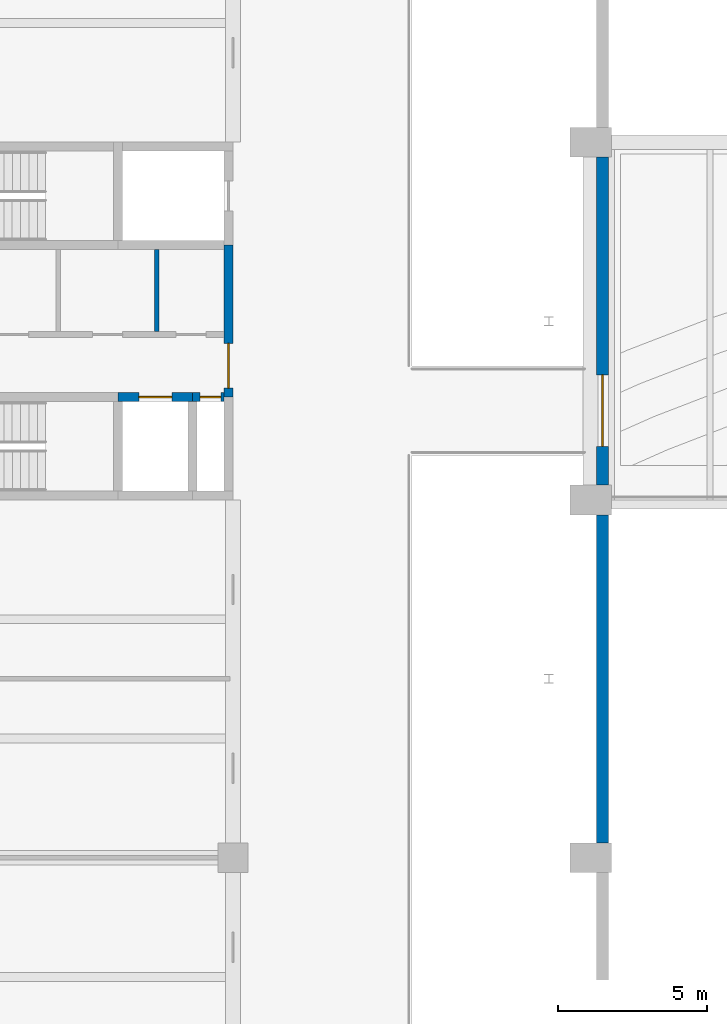
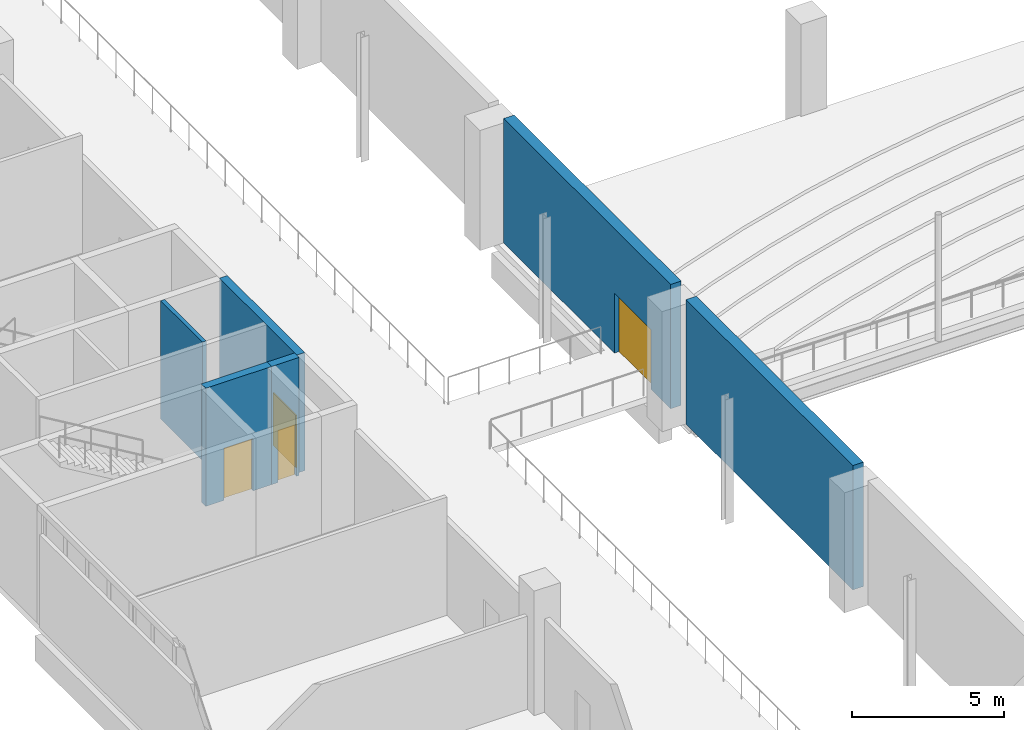
# One storey, part 55 of 69: 6 walls, 4 doors, 4 openings.
"""IFC4 building model written with IfcOpenShell, lengths in metres."""

from ifc_helpers import new_model, si_unit, direction, frame, frame_2d, origin, place, context, subcontext, project, spatial, rectangle, extrude, material, layer, layer_set, type_object, element, fill, save


model = new_model("IFC4")

# Units and contexts
model_context = context("Model", 3, precision=1e-05, world=origin(), true_north=direction((0.0, 1.0)))
body_context = subcontext(model_context, "Body", "Model", "MODEL_VIEW")
ifc_project = project(units=[si_unit("LENGTHUNIT", "METRE"), si_unit("AREAUNIT", "SQUARE_METRE"), si_unit("VOLUMEUNIT", "CUBIC_METRE"), si_unit("PLANEANGLEUNIT", "RADIAN"), si_unit("MASSUNIT", "GRAM", prefix="KILO")], contexts=[model_context])

# Site, building, storey
site_placement = place(None, origin())
site = spatial("IfcSite", under=ifc_project, at=site_placement, CompositionType="ELEMENT")
building_placement = place(site_placement, origin())
building = spatial("IfcBuilding", under=site, at=building_placement, Name="Lilac Gate Convention Centre", CompositionType="ELEMENT")
storey_placement = place(building_placement, frame((0.0, 0.0, 12.0)))
storey = spatial("IfcBuildingStorey", under=building, at=storey_placement, Name="L02", CompositionType="ELEMENT", Elevation=12.0)

# Wall
ifc_material_1 = material(Name="Concrete C30", Category="concrete")
ifc_layer_1 = layer(ifc_material_1, 0.39990234375)
ifc_layer_set_1 = layer_set([ifc_layer_1], Name="Concrete C30")
wall_type_1 = type_object("IfcWallType", Name="Hall fire wall 400", PredefinedType="SOLIDWALL", material=ifc_layer_set_1)
wall_1_placement = place(storey_placement, frame((30.39990234375, 138.5, 0.0), z_axis=(0.0, 0.0, 1.0), x_axis=(0.0, 1.0, 0.0)))
element("IfcWall", 1, at=wall_1_placement, inside=storey, type_object=wall_type_1, Name="Fire wall galleria FW L02 10", PredefinedType="SOLIDWALL", context=body_context, shape_type="SweptSolid", body=[
    extrude(rectangle(XDim=11.0, YDim=0.39990234375, at=frame_2d((5.5, 0.0))), origin(), (0.0, 0.0, 1.0), 5.0),
])

# Wall, opening, door
wall_2_placement = place(storey_placement, frame((30.39990234375, 150.5, 0.0), z_axis=(0.0, 0.0, 1.0), x_axis=(0.0, 1.0, 0.0)))
wall_2 = element("IfcWall", 2, at=wall_2_placement, inside=storey, type_object=wall_type_1, Name="Fire wall galleria FW L02 11", PredefinedType="SOLIDWALL", context=body_context, shape_type="SweptSolid", body=[
    extrude(rectangle(XDim=11.0, YDim=0.39990234375, at=frame_2d((5.5, 0.0))), origin(), (0.0, 0.0, 1.0), 5.0),
])
opening_1_placement = place(wall_2_placement, frame((1.300048828125, 0.0, 0.0)))
opening_1 = element("IfcOpeningElement", 3, at=opening_1_placement, cuts=wall_2, Name="Opening L02-053", PredefinedType="OPENING", context=body_context, shape_type="SweptSolid", body=[
    extrude(rectangle(XDim=2.39990234375, YDim=2.39990234375, at=frame_2d((1.199951171875, 1.199951171875))), frame((0.0, 0.2099609375, 0.0), z_axis=(0.0, -1.0, 0.0), x_axis=(1.0, 0.0, 0.0)), (0.0, 0.0, 1.0), 0.419921875),
])
ifc_material_2 = material(Name="Steel Q235B", Category="steel")
door_type_1 = type_object("IfcDoorType", Name="Door 2400 x 2400 double leaf FD90", OperationType="DOUBLE_DOOR_SINGLE_SWING", PredefinedType="DOOR", material=ifc_material_2)
door_1_placement = place(opening_1_placement, origin())
door_1 = element("IfcDoor", 4, at=door_1_placement, inside=storey, type_object=door_type_1, Name="Balcony exit door L02-053", OperationType="DOUBLE_DOOR_SINGLE_SWING", OverallHeight=2.39990234375, OverallWidth=2.39990234375, PredefinedType="DOOR", context=body_context, shape_type="SweptSolid", body=[
    extrude(rectangle(XDim=2.39990234375, YDim=2.39990234375, at=frame_2d((1.199951171875, 1.199951171875))), frame((0.0, 0.02490234375, 0.0), z_axis=(0.0, -1.0, 0.0), x_axis=(1.0, 0.0, 0.0)), (0.0, 0.0, 1.0), 0.050048828125),
])
fill(opening_1, door_1)

# Wall
ifc_material_3 = material(Name="Fire-rated gypsum board on steel stud", Category="steel")
ifc_layer_2 = layer(ifc_material_3, 0.14990234375)
ifc_layer_set_2 = layer_set([ifc_layer_2], Name="Fire-rated gypsum board on steel stud")
wall_type_2 = type_object("IfcWallType", Name="Partition 150 fire-rated gypsum board EI 60", PredefinedType="PARTITIONING", material=ifc_layer_set_2)
wall_3_placement = place(storey_placement, frame((15.449951171875, 155.64990234375, 0.0), z_axis=(0.0, 0.0, 1.0), x_axis=(0.0, 1.0, 0.0)))
element("IfcWall", 5, at=wall_3_placement, inside=storey, type_object=wall_type_2, Name="Partition 150 fire-rated gypsum board EI 60", PredefinedType="PARTITIONING", context=body_context, shape_type="SweptSolid", body=[
    extrude(rectangle(XDim=2.75, YDim=0.14990234375, at=frame_2d((1.375, 0.0))), origin(), (0.0, 0.0, 1.0), 4.75),
])

# Wall, opening, door
ifc_material_4 = material(Name="Concrete C40", Category="concrete")
ifc_layer_3 = layer(ifc_material_4, 0.300048828125)
ifc_layer_set_3 = layer_set([ifc_layer_3], Name="Concrete C40")
wall_type_3 = type_object("IfcWallType", Name="Shear wall 300 C40", PredefinedType="SHEAR", material=ifc_layer_set_3)
wall_4_placement = place(storey_placement, frame((14.14990234375, 153.449951171875, 0.0), z_axis=(0.0, 0.0, 1.0), x_axis=(1.0, 0.0, 0.0)))
wall_4 = element("IfcWall", 6, at=wall_4_placement, inside=storey, type_object=wall_type_3, Name="SW1 shear wall W3 L02 7", PredefinedType="SHEAR", context=body_context, shape_type="SweptSolid", body=[
    extrude(rectangle(XDim=2.5, YDim=0.300048828125, at=frame_2d((1.25, 0.0))), origin(), (0.0, 0.0, 1.0), 4.75),
])
opening_2_placement = place(wall_4_placement, frame((0.699951171875, 0.0, 0.0)))
opening_2 = element("IfcOpeningElement", 7, at=opening_2_placement, cuts=wall_4, Name="Opening LDW3-02", PredefinedType="OPENING", context=body_context, shape_type="SweptSolid", body=[
    extrude(rectangle(XDim=1.10009765625, YDim=2.10009765625, at=frame_2d((0.550048828125, 1.050048828125))), frame((0.0, 0.159912109375, 0.0), z_axis=(0.0, -1.0, 0.0), x_axis=(1.0, 0.0, 0.0)), (0.0, 0.0, 1.0), 0.320068359375),
])
ifc_material_5 = material(Name="Stainless steel 304", Category="steel")
door_type_2 = type_object("IfcDoorType", Name="Lift landing door 1100 x 2100", OperationType="SLIDING_TO_LEFT", PredefinedType="DOOR", material=ifc_material_5)
door_2_placement = place(opening_2_placement, origin())
door_2 = element("IfcDoor", 8, at=door_2_placement, inside=storey, type_object=door_type_2, Name="Lift landing door LDW3-02", OperationType="SLIDING_TO_LEFT", OverallHeight=2.10009765625, OverallWidth=1.10009765625, PredefinedType="DOOR", context=body_context, shape_type="SweptSolid", body=[
    extrude(rectangle(XDim=1.10009765625, YDim=2.10009765625, at=frame_2d((0.550048828125, 1.050048828125))), frame((0.0, 0.02490234375, 0.0), z_axis=(0.0, -1.0, 0.0), x_axis=(1.0, 0.0, 0.0)), (0.0, 0.0, 1.0), 0.050048828125),
])
fill(opening_2, door_2)

wall_5_placement = place(storey_placement, frame((16.64990234375, 153.449951171875, 0.0), z_axis=(0.0, 0.0, 1.0), x_axis=(1.0, 0.0, 0.0)))
wall_5 = element("IfcWall", 9, at=wall_5_placement, inside=storey, type_object=wall_type_3, Name="SW1 shear wall W3 L02 8", PredefinedType="SHEAR", context=body_context, shape_type="SweptSolid", body=[
    extrude(rectangle(XDim=1.050048828125, YDim=0.300048828125, at=frame_2d((0.52490234375, 0.0))), origin(), (0.0, 0.0, 1.0), 4.75),
])
opening_3_placement = place(wall_5_placement, frame((0.25, 0.0, 0.0)))
opening_3 = element("IfcOpeningElement", 10, at=opening_3_placement, cuts=wall_5, Name="Opening L02-055", PredefinedType="OPENING", context=body_context, shape_type="SweptSolid", body=[
    extrude(rectangle(XDim=0.699951171875, YDim=2.10009765625, at=frame_2d((0.35009765625, 1.050048828125))), frame((0.0, 0.159912109375, 0.0), z_axis=(0.0, -1.0, 0.0), x_axis=(1.0, 0.0, 0.0)), (0.0, 0.0, 1.0), 0.320068359375),
])
ifc_material_6 = material(Name="Timber fire door leaf", Category="wood")
door_type_3 = type_object("IfcDoorType", Name="Door 700 x 2100 single leaf FD30", OperationType="SINGLE_SWING_LEFT", PredefinedType="DOOR", material=ifc_material_6)
door_3_placement = place(opening_3_placement, frame((0.699951171875, 0.0, 0.0), z_axis=(0.0, 0.0, 1.0), x_axis=(-1.0, 0.0, 0.0)))
door_3 = element("IfcDoor", 11, at=door_3_placement, inside=storey, type_object=door_type_3, Name="Riser access door L02-055", OperationType="SINGLE_SWING_LEFT", OverallHeight=2.10009765625, OverallWidth=0.699951171875, PredefinedType="DOOR", context=body_context, shape_type="SweptSolid", body=[
    extrude(rectangle(XDim=0.699951171875, YDim=2.10009765625, at=frame_2d((0.35009765625, 1.050048828125))), frame((0.0, 0.02490234375, 0.0), z_axis=(0.0, -1.0, 0.0), x_axis=(1.0, 0.0, 0.0)), (0.0, 0.0, 1.0), 0.050048828125),
])
fill(opening_3, door_3)

wall_6_placement = place(storey_placement, frame((17.85009765625, 153.449951171875, 0.0), z_axis=(0.0, 0.0, 1.0), x_axis=(0.0, 1.0, 0.0)))
wall_6 = element("IfcWall", 12, at=wall_6_placement, inside=storey, type_object=wall_type_3, Name="SW1 shear wall W3 L02 15", PredefinedType="SHEAR", context=body_context, shape_type="SweptSolid", body=[
    extrude(rectangle(XDim=5.10009765625, YDim=0.300048828125, at=frame_2d((2.550048828125, 0.0))), origin(), (0.0, 0.0, 1.0), 4.75),
])
opening_4_placement = place(wall_6_placement, frame((0.300048828125, 0.0, 0.0)))
opening_4 = element("IfcOpeningElement", 13, at=opening_4_placement, cuts=wall_6, Name="Opening L02-058", PredefinedType="OPENING", context=body_context, shape_type="SweptSolid", body=[
    extrude(rectangle(XDim=1.5, YDim=2.10009765625, at=frame_2d((0.75, 1.050048828125))), frame((0.0, 0.159912109375, 0.0), z_axis=(0.0, -1.0, 0.0), x_axis=(1.0, 0.0, 0.0)), (0.0, 0.0, 1.0), 0.320068359375),
])
door_type_4 = type_object("IfcDoorType", Name="Door 1500 x 2100 double leaf FD30", OperationType="DOUBLE_DOOR_SINGLE_SWING", PredefinedType="DOOR", material=ifc_material_6)
door_4_placement = place(opening_4_placement, origin())
door_4 = element("IfcDoor", 14, at=door_4_placement, inside=storey, type_object=door_type_4, Name="Lobby door L02-058", OperationType="DOUBLE_DOOR_SINGLE_SWING", OverallHeight=2.10009765625, OverallWidth=1.5, PredefinedType="DOOR", context=body_context, shape_type="SweptSolid", body=[
    extrude(rectangle(XDim=1.5, YDim=2.10009765625, at=frame_2d((0.75, 1.050048828125))), frame((0.0, 0.02490234375, 0.0), z_axis=(0.0, -1.0, 0.0), x_axis=(1.0, 0.0, 0.0)), (0.0, 0.0, 1.0), 0.050048828125),
])
fill(opening_4, door_4)

save(model, "model.ifc")
